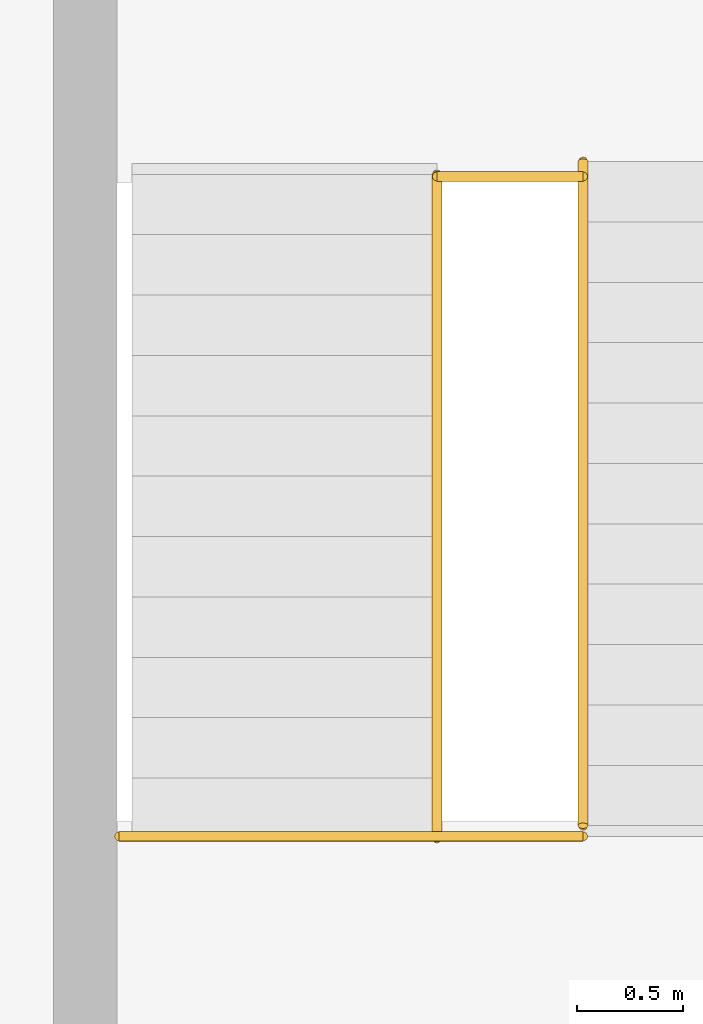
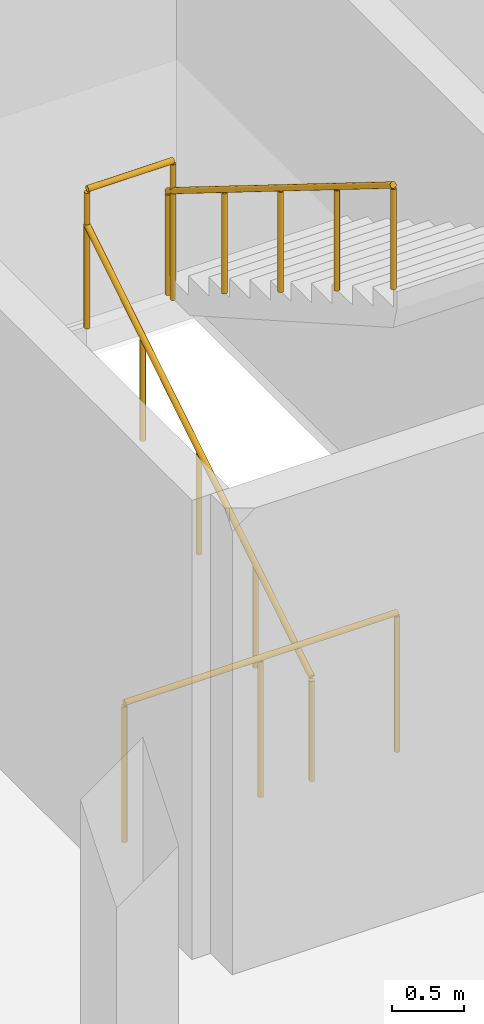
# One storey, part 122 of 123: 4 railings.
"""IFC4 building model written with IfcOpenShell, lengths in metres."""

from ifc_helpers import new_model, si_unit, direction, frame, origin, origin_2d, place, context, subcontext, project, spatial, circle, extrude, material, type_object, element, save


model = new_model("IFC4")

# Units and contexts
model_context = context("Model", 3, precision=1e-05, world=origin(), true_north=direction((0.0, 1.0)))
body_context = subcontext(model_context, "Body", "Model", "MODEL_VIEW")
ifc_project = project(units=[si_unit("LENGTHUNIT", "METRE"), si_unit("AREAUNIT", "SQUARE_METRE"), si_unit("VOLUMEUNIT", "CUBIC_METRE"), si_unit("PLANEANGLEUNIT", "RADIAN"), si_unit("MASSUNIT", "GRAM", prefix="KILO")], contexts=[model_context])

# Site, building, storey
site_placement = place(None, origin())
site = spatial("IfcSite", under=ifc_project, at=site_placement, CompositionType="ELEMENT")
building_placement = place(site_placement, origin())
building = spatial("IfcBuilding", under=site, at=building_placement, Name="Kildeholm Park Wholesale Market", CompositionType="ELEMENT")
storey_placement = place(building_placement, frame((0.0, 0.0, 9.60009765625)))
storey = spatial("IfcBuildingStorey", under=building, at=storey_placement, Name="L02", CompositionType="ELEMENT", Elevation=9.60009765625)

# Railings
ifc_material_1 = material(Name="Painted steel and laminated glass balustrade", Category="steel")
railing_type_1 = type_object("IfcRailingType", Name="Interior gallery and stairwell guard GR-IN1 1200 mm", PredefinedType="GUARDRAIL", material=ifc_material_1)
railing_1_placement = place(storey_placement, frame((46.360107421875, 164.429931640625, 0.0)))
element("IfcRailing", 1, at=railing_1_placement, inside=storey, type_object=railing_type_1, Name="Stair C02 upper floor well guard L02 RLG-0035", PredefinedType="GUARDRAIL", context=body_context, shape_type="SweptSolid", body=[
    extrude(circle(Radius=0.02392578125, at=origin_2d()), frame((0.0, 0.0, 1.17578125), z_axis=(1.0, 0.0, 0.0), x_axis=(0.0, 1.0, 0.0)), (0.0, 0.0, 1.0), 2.18994140625),
    extrude(circle(Radius=0.02099609375, at=origin_2d()), origin(), (0.0, 0.0, 1.0), 1.15185546875),
    extrude(circle(Radius=0.02099609375, at=origin_2d()), frame((1.094970703125, 0.0, 0.0)), (0.0, 0.0, 1.0), 1.15185546875),
    extrude(circle(Radius=0.02099609375, at=origin_2d()), frame((2.18994140625, 0.0, 0.0)), (0.0, 0.0, 1.0), 1.15185546875),
])
railing_2_placement = place(storey_placement, frame((47.860107421875, 167.544921875, 1.949951171875)))
element("IfcRailing", 2, at=railing_2_placement, inside=storey, type_object=railing_type_1, Name="Stair C02 half-landing well guard L02 RLG-0038", PredefinedType="GUARDRAIL", context=body_context, shape_type="SweptSolid", body=[
    extrude(circle(Radius=0.02392578125, at=origin_2d()), frame((0.0, 0.0, 1.17578125), z_axis=(1.0, 0.0, 0.0), x_axis=(0.0, 1.0, 0.0)), (0.0, 0.0, 1.0), 0.68994140625),
    extrude(circle(Radius=0.02099609375, at=origin_2d()), origin(), (0.0, 0.0, 1.0), 1.15185546875),
    extrude(circle(Radius=0.02099609375, at=origin_2d()), frame((0.68994140625, 0.0, 0.0)), (0.0, 0.0, 1.0), 1.15185546875),
])
ifc_material_2 = material(Name="Stainless steel AISI 316 handrail", Category="steel")
railing_type_2 = type_object("IfcRailingType", Name="Stair flight handrail HR-IN1 900 mm", PredefinedType="HANDRAIL", material=ifc_material_2)
railing_3_placement = place(storey_placement, frame((47.860107421875, 164.419921875, 0.0)))
element("IfcRailing", 3, at=railing_3_placement, inside=storey, type_object=railing_type_2, Name="Stair C02 flight 1 handrail L02 RLG-0040", PredefinedType="HANDRAIL", context=body_context, shape_type="SweptSolid", body=[
    extrude(circle(Radius=0.02392578125, at=origin_2d()), frame((0.0, 0.0, 0.8759765625), z_axis=(0.0, 0.849144259976, 0.528160984692), x_axis=(-1.0, 0.0, 0.0)), (0.0, 0.0, 1.0), 3.69189453125),
    extrude(circle(Radius=0.02099609375, at=origin_2d()), origin(), (0.0, 0.0, 1.0), 0.851806640625),
    extrude(circle(Radius=0.02099609375, at=origin_2d()), frame((0.0, 0.78369140625, 0.487548828125)), (0.0, 0.0, 1.0), 0.851806640625),
    extrude(circle(Radius=0.02099609375, at=origin_2d()), frame((0.0, 1.5673828125, 0.97509765625)), (0.0, 0.0, 1.0), 0.851806640625),
    extrude(circle(Radius=0.02099609375, at=origin_2d()), frame((0.0, 2.351318359375, 1.46240234375)), (0.0, 0.0, 1.0), 0.851806640625),
    extrude(circle(Radius=0.02099609375, at=origin_2d()), frame((0.0, 3.135009765625, 1.949951171875)), (0.0, 0.0, 1.0), 0.851806640625),
])
railing_4_placement = place(storey_placement, frame((48.550048828125, 167.614990234375, 1.949951171875)))
element("IfcRailing", 4, at=railing_4_placement, inside=storey, type_object=railing_type_2, Name="Stair C02 flight 2 handrail L02 RLG-0041", PredefinedType="HANDRAIL", context=body_context, shape_type="SweptSolid", body=[
    extrude(circle(Radius=0.02392578125, at=origin_2d()), frame((0.0, 0.0, 0.8759765625), z_axis=(0.0, -0.849144259976, 0.528160984692), x_axis=(1.0, 0.0, 0.0)), (0.0, 0.0, 1.0), 3.69189453125),
    extrude(circle(Radius=0.02099609375, at=origin_2d()), origin(), (0.0, 0.0, 1.0), 0.851806640625),
    extrude(circle(Radius=0.02099609375, at=origin_2d()), frame((0.0, -0.78369140625, 0.487548828125)), (0.0, 0.0, 1.0), 0.851806640625),
    extrude(circle(Radius=0.02099609375, at=origin_2d()), frame((0.0, -1.5673828125, 0.97509765625)), (0.0, 0.0, 1.0), 0.851806640625),
    extrude(circle(Radius=0.02099609375, at=origin_2d()), frame((0.0, -2.351318359375, 1.46240234375)), (0.0, 0.0, 1.0), 0.851806640625),
    extrude(circle(Radius=0.02099609375, at=origin_2d()), frame((0.0, -3.135009765625, 1.949951171875)), (0.0, 0.0, 1.0), 0.851806640625),
])

save(model, "model.ifc")
